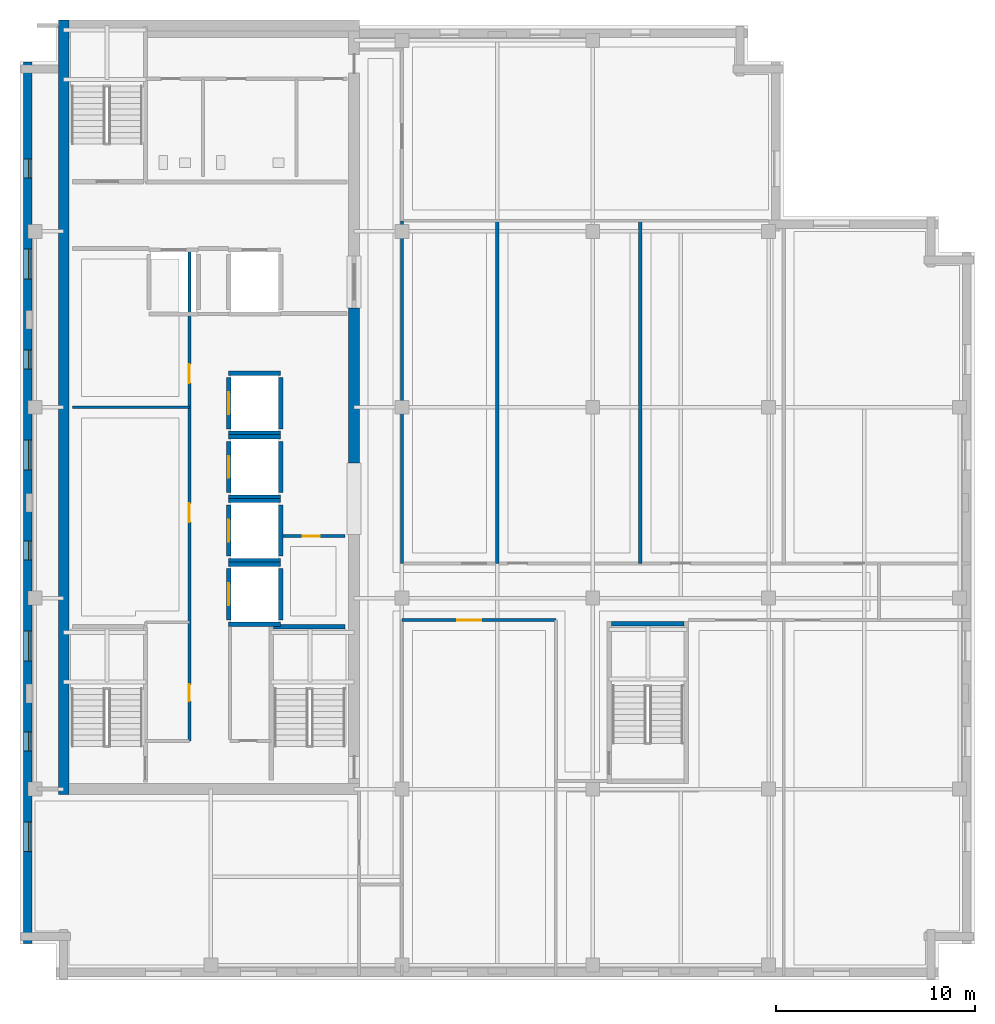
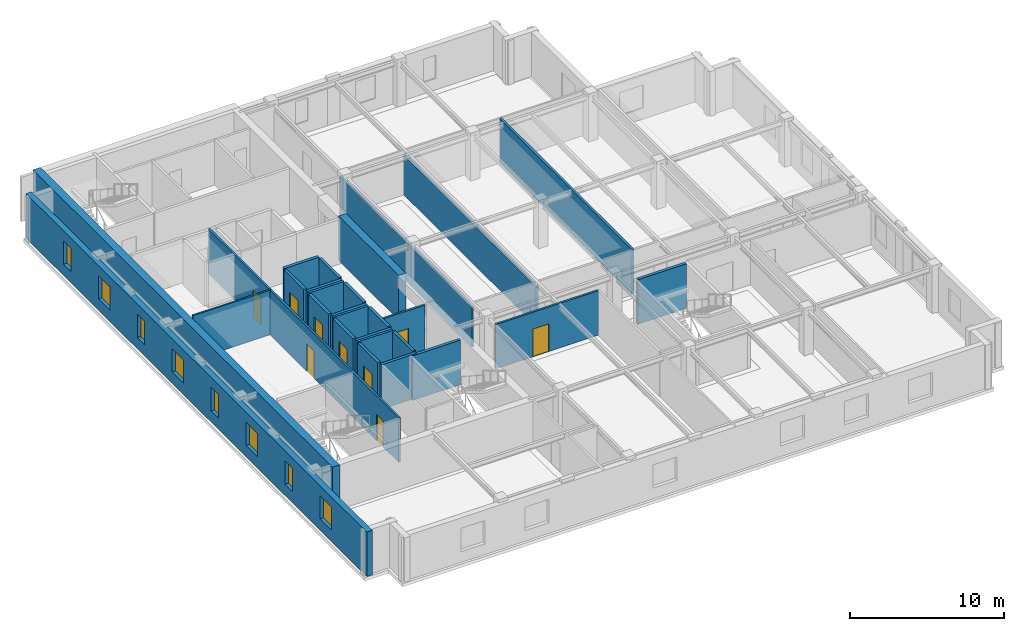
# One storey, part 4 of 11: 28 walls, 9 doors, 8 windows, 17 openings.
"""IFC4 building model written with IfcOpenShell, lengths in metres."""

import ifcopenshell
import ifcopenshell.guid

model = None  # the IFC model being written
_history = None  # IfcOwnerHistory: only IFC2X3 demands one
_inside = {}  # id of a spatial element -> (the spatial element, [elements in it])
_under = {}  # id of a project, library or spatial element -> (it, [spatial elements below it])
_declared = {}  # id of a project -> (the project, [libraries it declares])
_typed = {}  # id of a type object -> (the type object, [elements of that type])
_made_of = {}  # id of a material, layer set ... -> (it, [elements and type objects made of it])


def new_model(schema):
    """Start an empty IFC model of exactly this schema.

    Asked for "IFC4X3", IfcOpenShell would pick the latest addendum, in which some entities
    have other attributes; the version numbers below select the first issue.
    IFC2X3 requires an IfcOwnerHistory on every rooted entity: one is made here for all.
    """
    global model, _history
    if schema == "IFC4X3":
        model = ifcopenshell.file(schema_version=(4, 3, 0, 0))
    else:
        model = ifcopenshell.file(schema=schema)
    _inside.clear()
    _under.clear()
    _declared.clear()
    _typed.clear()
    _made_of.clear()
    _history = None
    if model.schema == "IFC2X3":
        org = make("IfcOrganization", Name="unknown")
        user = make(
            "IfcPersonAndOrganization",
            ThePerson=make("IfcPerson", FamilyName="unknown"),
            TheOrganization=org,
        )
        app = make(
            "IfcApplication",
            ApplicationDeveloper=org,
            Version="unknown",
            ApplicationFullName="unknown",
            ApplicationIdentifier="unknown",
        )
        _history = make(
            "IfcOwnerHistory",
            OwningUser=user,
            OwningApplication=app,
            ChangeAction="ADDED",
            CreationDate=0,
        )
    return model


def make(cls, **values):
    """One entity of the class cls with the attributes given. An attribute that is None is left unset."""
    return model.create_entity(
        cls, **{name: value for name, value in values.items() if value is not None}
    )


def rooted(cls, **values):
    """An entity with a GlobalId (a new one), such as an element, a storey or a relation."""
    return make(cls, GlobalId=ifcopenshell.guid.new(), OwnerHistory=_history, **values)


def si_unit(unit_type, name, prefix=None):
    """IfcSIUnit, for example si_unit("LENGTHUNIT", "METRE", prefix="MILLI")."""
    return make("IfcSIUnit", UnitType=unit_type, Prefix=prefix, Name=name)


def assignment(units):
    """IfcUnitAssignment: the units of a project."""
    return None if units is None else make("IfcUnitAssignment", Units=units)


def point(xyz):
    """IfcCartesianPoint."""
    return None if xyz is None else make("IfcCartesianPoint", Coordinates=xyz)


def direction(xyz):
    """IfcDirection."""
    return None if xyz is None else make("IfcDirection", DirectionRatios=xyz)


def frame(location, z_axis=None, x_axis=None):
    """IfcAxis2Placement3D, a coordinate frame: its origin and axes. An axis left out is left unset."""
    return make(
        "IfcAxis2Placement3D",
        Location=point(location),
        Axis=direction(z_axis),
        RefDirection=direction(x_axis),
    )


def frame_2d(location, x_axis=None):
    """IfcAxis2Placement2D, a coordinate frame in the plane: its origin and x axis."""
    return make(
        "IfcAxis2Placement2D", Location=point(location), RefDirection=direction(x_axis)
    )


def origin():
    """The frame at (0, 0, 0) with its axes left unset."""
    return frame((0.0, 0.0, 0.0))


def place(relative_to, where):
    """IfcLocalPlacement: puts the frame where relative to a parent placement (None: the world)."""
    return make(
        "IfcLocalPlacement", PlacementRelTo=relative_to, RelativePlacement=where
    )


def context(
    kind, dimensions, precision=None, world=None, true_north=None, identifier=None
):
    """IfcGeometricRepresentationContext, for example the 3D "Model" context."""
    return make(
        "IfcGeometricRepresentationContext",
        ContextIdentifier=identifier,
        ContextType=kind,
        CoordinateSpaceDimension=dimensions,
        Precision=precision,
        WorldCoordinateSystem=world,
        TrueNorth=true_north,
    )


def subcontext(parent, identifier, kind, view, scale=None):
    """IfcGeometricRepresentationSubContext, for example "Body" below "Model"."""
    return make(
        "IfcGeometricRepresentationSubContext",
        ContextIdentifier=identifier,
        ContextType=kind,
        ParentContext=parent,
        TargetScale=scale,
        TargetView=view,
    )


def project(units=None, contexts=None):
    """IfcProject with its units and contexts."""
    return rooted(
        "IfcProject",
        Name="project",
        RepresentationContexts=contexts,
        UnitsInContext=assignment(units),
    )


def spatial(cls, under=None, at=None, **own):
    """A site, building, storey or space (cls), placed at a placement, below another one or the project."""
    s = rooted(cls, ObjectPlacement=at, **own)
    if under is not None:
        _under.setdefault(under.id(), (under, []))[1].append(s)
    return s


def profile(cls, at=None, kind="AREA", **sizes):
    """A parametric profile (cls). Its sizes go by their IFC names, for example OverallWidth=200.0."""
    return make(cls, ProfileType=kind, Position=at, **sizes)


def rectangle(**sizes):
    """IfcRectangleProfileDef."""
    return profile("IfcRectangleProfileDef", **sizes)


def extrude(swept, where, along, depth):
    """IfcExtrudedAreaSolid: the profile swept, set in the frame where, extruded along a direction by depth."""
    return make(
        "IfcExtrudedAreaSolid",
        SweptArea=swept,
        Position=where,
        ExtrudedDirection=direction(along),
        Depth=depth,
    )


def shape(context_of_items, identifier, shape_type, items):
    """IfcShapeRepresentation: the items that make up one representation, for example the "Body"."""
    return make(
        "IfcShapeRepresentation",
        ContextOfItems=context_of_items,
        RepresentationIdentifier=identifier,
        RepresentationType=shape_type,
        Items=items,
    )


def material(Name=None, Category=None):
    """IfcMaterial."""
    return make("IfcMaterial", Name=Name, Category=Category)


def layer(
    of_material, thickness, ventilated=None, Name=None, Category=None, Priority=None
):
    """IfcMaterialLayer: one layer of a wall or slab, of a material (None: an air gap)."""
    return make(
        "IfcMaterialLayer",
        Material=of_material,
        LayerThickness=thickness,
        IsVentilated=ventilated,
        Name=Name,
        Category=Category,
        Priority=Priority,
    )


def layer_set(layers, Name=None):
    """IfcMaterialLayerSet."""
    return make("IfcMaterialLayerSet", MaterialLayers=layers, LayerSetName=Name)


def made_of(thing, what):
    """Note that an element or type object is made of a material, layer set ...; save() writes the relation."""
    if what is not None:
        _made_of.setdefault(what.id(), (what, []))[1].append(thing)
    return thing


def type_object(cls, material=None, **own):
    """A type object (cls), such as IfcWallType, which elements share."""
    return made_of(rooted(cls, **own), material)


def element(
    cls,
    number,
    at=None,
    inside=None,
    cuts=None,
    type_object=None,
    material=None,
    context=None,
    identifier="Body",
    shape_type=None,
    held_by="IfcProductDefinitionShape",
    body=None,
    shapes=None,
    **own,
):
    """One element of the class cls, such as IfcWall. Its Tag is "e" and its number.

    at: its placement. inside: the storey or other place that contains it. cuts: it is an
    opening in that element (IfcRelVoidsElement). A single representation is given by context,
    identifier, shape_type and body (its items); several are given by shapes. held_by: the class
    of the entity that holds the representations. save() writes the other relations.
    """
    e = rooted(cls, Tag="e%d" % number, ObjectPlacement=at, **own)
    if body is not None:
        shapes = [shape(context, identifier, shape_type, body)]
    if shapes is not None:
        e.Representation = make(held_by, Representations=shapes)
    if inside is not None:
        _inside.setdefault(inside.id(), (inside, []))[1].append(e)
    if cuts is not None:
        rooted(
            "IfcRelVoidsElement", RelatingBuildingElement=cuts, RelatedOpeningElement=e
        )
    if type_object is not None:
        _typed.setdefault(type_object.id(), (type_object, []))[1].append(e)
    return made_of(e, material)


def fill(opening, filler):
    """IfcRelFillsElement: the door or window that sits in an opening."""
    return rooted(
        "IfcRelFillsElement",
        RelatingOpeningElement=opening,
        RelatedBuildingElement=filler,
    )


def aggregate(whole, parts):
    """IfcRelAggregates: a whole, such as a stair, and the parts it consists of."""
    return rooted("IfcRelAggregates", RelatingObject=whole, RelatedObjects=parts)


def save(model, path):
    """Write the relations noted so far, then the file.

    IfcRelAggregates (storeys below a building ...), IfcRelContainedInSpatialStructure (elements
    in a storey), IfcRelDefinesByType, IfcRelAssociatesMaterial and IfcRelDeclares: one each for
    every whole, place, type object, material and project.
    """
    for whole, parts in _under.values():
        aggregate(whole, parts)
    for where, things in _inside.values():
        rooted(
            "IfcRelContainedInSpatialStructure",
            RelatedElements=things,
            RelatingStructure=where,
        )
    for kind, things in _typed.values():
        rooted("IfcRelDefinesByType", RelatedObjects=things, RelatingType=kind)
    for what, things in _made_of.values():
        rooted("IfcRelAssociatesMaterial", RelatedObjects=things, RelatingMaterial=what)
    for by, libraries in _declared.values():
        rooted("IfcRelDeclares", RelatingContext=by, RelatedDefinitions=libraries)
    model.write(path)


model = new_model("IFC4")

# Units and contexts
model_context = context("Model", 3, precision=1e-05, world=origin(), true_north=direction((0.0, 1.0)))
body_context = subcontext(model_context, "Body", "Model", "MODEL_VIEW")
ifc_project = project(units=[si_unit("LENGTHUNIT", "METRE"), si_unit("AREAUNIT", "SQUARE_METRE"), si_unit("VOLUMEUNIT", "CUBIC_METRE"), si_unit("PLANEANGLEUNIT", "RADIAN"), si_unit("MASSUNIT", "GRAM", prefix="KILO")], contexts=[model_context])

# Site, building, storey
site_placement = place(None, origin())
site = spatial("IfcSite", under=ifc_project, at=site_placement, CompositionType="ELEMENT")
building_placement = place(site_placement, origin())
building = spatial("IfcBuilding", under=site, at=building_placement, Name="Norrvale University Quadrangle", CompositionType="ELEMENT")
storey_placement = place(building_placement, frame((0.0, 0.0, 288.60009765625)))
storey = spatial("IfcBuildingStorey", under=building, at=storey_placement, Name="L73", CompositionType="ELEMENT", Elevation=288.60009765625)

# Wall, openings, windows
ifc_material_1 = material(Name="Buff Norman Clay Brick Masonry", Category="masonry")
ifc_layer_1 = layer(ifc_material_1, 0.419921875, Name="Buff Norman Clay Brick Masonry")
ifc_layer_set_1 = layer_set([ifc_layer_1], Name="Buff Norman Clay Brick Masonry")
wall_type_1 = type_object("IfcWallType", Name="Wall Buff Brick 420", PredefinedType="SOLIDWALL", material=ifc_layer_set_1)
wall_1_placement = place(storey_placement, frame((0.389892578125, 46.159912109375, 0.0), z_axis=(0.0, 0.0, 1.0), x_axis=(0.0, -1.0, 0.0)))
wall_1 = element("IfcWall", 1, at=wall_1_placement, inside=storey, type_object=wall_type_1, Name="Exterior Brick Facade Wall L73-14.1", PredefinedType="SOLIDWALL", context=body_context, shape_type="SweptSolid", body=[
    extrude(rectangle(XDim=44.31982421875, YDim=0.419921875, at=frame_2d((22.159912109375, 0.0))), origin(), (0.0, 0.0, 1.0), 3.539794921875),
])
opening_1_placement = place(wall_1_placement, frame((4.885009765625, 0.0, 0.89990234375)))
opening_1 = element("IfcOpeningElement", 2, at=opening_1_placement, cuts=wall_1, Name="Opening W04", PredefinedType="OPENING", context=body_context, shape_type="SweptSolid", body=[
    extrude(rectangle(XDim=0.949951171875, YDim=1.85009765625, at=frame_2d((0.47509765625, 0.925048828125))), frame((0.0, 0.221923828125, 0.0), z_axis=(0.0, -1.0, 0.0), x_axis=(1.0, 0.0, 0.0)), (0.0, 0.0, 1.0), 0.44384765625),
])
opening_2_placement = place(wall_1_placement, frame((9.409912109375, 0.0, 0.89990234375)))
opening_2 = element("IfcOpeningElement", 3, at=opening_2_placement, cuts=wall_1, Name="Opening W03", PredefinedType="OPENING", context=body_context, shape_type="SweptSolid", body=[
    extrude(rectangle(XDim=1.5, YDim=1.85009765625, at=frame_2d((0.75, 0.925048828125))), frame((0.0, 0.221923828125, 0.0), z_axis=(0.0, -1.0, 0.0), x_axis=(1.0, 0.0, 0.0)), (0.0, 0.0, 1.0), 0.44384765625),
])
opening_3_placement = place(wall_1_placement, frame((14.485107421875, 0.0, 0.89990234375)))
opening_3 = element("IfcOpeningElement", 4, at=opening_3_placement, cuts=wall_1, Name="Opening W04", PredefinedType="OPENING", context=body_context, shape_type="SweptSolid", body=[
    extrude(rectangle(XDim=0.949951171875, YDim=1.85009765625, at=frame_2d((0.47509765625, 0.925048828125))), frame((0.0, 0.221923828125, 0.0), z_axis=(0.0, -1.0, 0.0), x_axis=(1.0, 0.0, 0.0)), (0.0, 0.0, 1.0), 0.44384765625),
])
opening_4_placement = place(wall_1_placement, frame((19.010009765625, 0.0, 0.89990234375)))
opening_4 = element("IfcOpeningElement", 5, at=opening_4_placement, cuts=wall_1, Name="Opening W03", PredefinedType="OPENING", context=body_context, shape_type="SweptSolid", body=[
    extrude(rectangle(XDim=1.5, YDim=1.85009765625, at=frame_2d((0.75, 0.925048828125))), frame((0.0, 0.221923828125, 0.0), z_axis=(0.0, -1.0, 0.0), x_axis=(1.0, 0.0, 0.0)), (0.0, 0.0, 1.0), 0.44384765625),
])
opening_5_placement = place(wall_1_placement, frame((24.0849609375, 0.0, 0.89990234375)))
opening_5 = element("IfcOpeningElement", 6, at=opening_5_placement, cuts=wall_1, Name="Opening W04", PredefinedType="OPENING", context=body_context, shape_type="SweptSolid", body=[
    extrude(rectangle(XDim=0.949951171875, YDim=1.85009765625, at=frame_2d((0.47509765625, 0.925048828125))), frame((0.0, 0.221923828125, 0.0), z_axis=(0.0, -1.0, 0.0), x_axis=(1.0, 0.0, 0.0)), (0.0, 0.0, 1.0), 0.44384765625),
])
opening_6_placement = place(wall_1_placement, frame((28.610107421875, 0.0, 0.89990234375)))
opening_6 = element("IfcOpeningElement", 7, at=opening_6_placement, cuts=wall_1, Name="Opening W03", PredefinedType="OPENING", context=body_context, shape_type="SweptSolid", body=[
    extrude(rectangle(XDim=1.5, YDim=1.85009765625, at=frame_2d((0.75, 0.925048828125))), frame((0.0, 0.221923828125, 0.0), z_axis=(0.0, -1.0, 0.0), x_axis=(1.0, 0.0, 0.0)), (0.0, 0.0, 1.0), 0.44384765625),
])
opening_7_placement = place(wall_1_placement, frame((33.68505859375, 0.0, 0.89990234375)))
opening_7 = element("IfcOpeningElement", 8, at=opening_7_placement, cuts=wall_1, Name="Opening W04", PredefinedType="OPENING", context=body_context, shape_type="SweptSolid", body=[
    extrude(rectangle(XDim=0.949951171875, YDim=1.85009765625, at=frame_2d((0.47509765625, 0.925048828125))), frame((0.0, 0.221923828125, 0.0), z_axis=(0.0, -1.0, 0.0), x_axis=(1.0, 0.0, 0.0)), (0.0, 0.0, 1.0), 0.44384765625),
])
opening_8_placement = place(wall_1_placement, frame((38.2099609375, 0.0, 0.89990234375)))
opening_8 = element("IfcOpeningElement", 9, at=opening_8_placement, cuts=wall_1, Name="Opening W03", PredefinedType="OPENING", context=body_context, shape_type="SweptSolid", body=[
    extrude(rectangle(XDim=1.5, YDim=1.85009765625, at=frame_2d((0.75, 0.925048828125))), frame((0.0, 0.221923828125, 0.0), z_axis=(0.0, -1.0, 0.0), x_axis=(1.0, 0.0, 0.0)), (0.0, 0.0, 1.0), 0.44384765625),
])
ifc_material_2 = material(Name="Triple Low-E Argon Glazing", Category="glass")
window_type_1 = type_object("IfcWindowType", Name="Window Narrow Pier 950x2300", PartitioningType="SINGLE_PANEL", PredefinedType="WINDOW", material=ifc_material_2)
window_1_placement = place(opening_1_placement, origin())
window_1 = element("IfcWindow", 10, at=window_1_placement, inside=storey, type_object=window_type_1, Name="Window Narrow Pier 950x2300 WIN-L73-E14-1-01", OverallHeight=1.85009765625, OverallWidth=0.949951171875, PartitioningType="SINGLE_PANEL", PredefinedType="WINDOW", context=body_context, shape_type="SweptSolid", body=[
    extrude(rectangle(XDim=0.949951171875, YDim=1.85009765625, at=frame_2d((0.47509765625, 0.925048828125))), frame((0.0, 0.110107421875, 0.0), z_axis=(0.0, -1.0, 0.0), x_axis=(1.0, 0.0, 0.0)), (0.0, 0.0, 1.0), 0.06005859375),
])
fill(opening_1, window_1)
window_2_placement = place(opening_3_placement, origin())
window_2 = element("IfcWindow", 11, at=window_2_placement, inside=storey, type_object=window_type_1, Name="Window Narrow Pier 950x2300 WIN-L73-E14-1-03", OverallHeight=1.85009765625, OverallWidth=0.949951171875, PartitioningType="SINGLE_PANEL", PredefinedType="WINDOW", context=body_context, shape_type="SweptSolid", body=[
    extrude(rectangle(XDim=0.949951171875, YDim=1.85009765625, at=frame_2d((0.47509765625, 0.925048828125))), frame((0.0, 0.110107421875, 0.0), z_axis=(0.0, -1.0, 0.0), x_axis=(1.0, 0.0, 0.0)), (0.0, 0.0, 1.0), 0.06005859375),
])
fill(opening_3, window_2)
window_3_placement = place(opening_5_placement, origin())
window_3 = element("IfcWindow", 12, at=window_3_placement, inside=storey, type_object=window_type_1, Name="Window Narrow Pier 950x2300 WIN-L73-E14-1-05", OverallHeight=1.85009765625, OverallWidth=0.949951171875, PartitioningType="SINGLE_PANEL", PredefinedType="WINDOW", context=body_context, shape_type="SweptSolid", body=[
    extrude(rectangle(XDim=0.949951171875, YDim=1.85009765625, at=frame_2d((0.47509765625, 0.925048828125))), frame((0.0, 0.110107421875, 0.0), z_axis=(0.0, -1.0, 0.0), x_axis=(1.0, 0.0, 0.0)), (0.0, 0.0, 1.0), 0.06005859375),
])
fill(opening_5, window_3)
window_4_placement = place(opening_7_placement, origin())
window_4 = element("IfcWindow", 13, at=window_4_placement, inside=storey, type_object=window_type_1, Name="Window Narrow Pier 950x2300 WIN-L73-E14-1-07", OverallHeight=1.85009765625, OverallWidth=0.949951171875, PartitioningType="SINGLE_PANEL", PredefinedType="WINDOW", context=body_context, shape_type="SweptSolid", body=[
    extrude(rectangle(XDim=0.949951171875, YDim=1.85009765625, at=frame_2d((0.47509765625, 0.925048828125))), frame((0.0, 0.110107421875, 0.0), z_axis=(0.0, -1.0, 0.0), x_axis=(1.0, 0.0, 0.0)), (0.0, 0.0, 1.0), 0.06005859375),
])
fill(opening_7, window_4)
window_type_2 = type_object("IfcWindowType", Name="Window Studio 1500x2300", PartitioningType="DOUBLE_PANEL_VERTICAL", PredefinedType="WINDOW", material=ifc_material_2)
window_5_placement = place(opening_2_placement, origin())
window_5 = element("IfcWindow", 14, at=window_5_placement, inside=storey, type_object=window_type_2, Name="Window Studio 1500x2300 WIN-L73-E14-1-02", OverallHeight=1.85009765625, OverallWidth=1.5, PartitioningType="DOUBLE_PANEL_VERTICAL", PredefinedType="WINDOW", context=body_context, shape_type="SweptSolid", body=[
    extrude(rectangle(XDim=1.5, YDim=1.85009765625, at=frame_2d((0.75, 0.925048828125))), frame((0.0, 0.110107421875, 0.0), z_axis=(0.0, -1.0, 0.0), x_axis=(1.0, 0.0, 0.0)), (0.0, 0.0, 1.0), 0.06005859375),
])
fill(opening_2, window_5)
window_6_placement = place(opening_4_placement, origin())
window_6 = element("IfcWindow", 15, at=window_6_placement, inside=storey, type_object=window_type_2, Name="Window Studio 1500x2300 WIN-L73-E14-1-04", OverallHeight=1.85009765625, OverallWidth=1.5, PartitioningType="DOUBLE_PANEL_VERTICAL", PredefinedType="WINDOW", context=body_context, shape_type="SweptSolid", body=[
    extrude(rectangle(XDim=1.5, YDim=1.85009765625, at=frame_2d((0.75, 0.925048828125))), frame((0.0, 0.110107421875, 0.0), z_axis=(0.0, -1.0, 0.0), x_axis=(1.0, 0.0, 0.0)), (0.0, 0.0, 1.0), 0.06005859375),
])
fill(opening_4, window_6)
window_7_placement = place(opening_6_placement, origin())
window_7 = element("IfcWindow", 16, at=window_7_placement, inside=storey, type_object=window_type_2, Name="Window Studio 1500x2300 WIN-L73-E14-1-06", OverallHeight=1.85009765625, OverallWidth=1.5, PartitioningType="DOUBLE_PANEL_VERTICAL", PredefinedType="WINDOW", context=body_context, shape_type="SweptSolid", body=[
    extrude(rectangle(XDim=1.5, YDim=1.85009765625, at=frame_2d((0.75, 0.925048828125))), frame((0.0, 0.110107421875, 0.0), z_axis=(0.0, -1.0, 0.0), x_axis=(1.0, 0.0, 0.0)), (0.0, 0.0, 1.0), 0.06005859375),
])
fill(opening_6, window_7)
window_8_placement = place(opening_8_placement, origin())
window_8 = element("IfcWindow", 17, at=window_8_placement, inside=storey, type_object=window_type_2, Name="Window Studio 1500x2300 WIN-L73-E14-1-08", OverallHeight=1.85009765625, OverallWidth=1.5, PartitioningType="DOUBLE_PANEL_VERTICAL", PredefinedType="WINDOW", context=body_context, shape_type="SweptSolid", body=[
    extrude(rectangle(XDim=1.5, YDim=1.85009765625, at=frame_2d((0.75, 0.925048828125))), frame((0.0, 0.110107421875, 0.0), z_axis=(0.0, -1.0, 0.0), x_axis=(1.0, 0.0, 0.0)), (0.0, 0.0, 1.0), 0.06005859375),
])
fill(opening_8, window_8)

# Walls
ifc_material_3 = material(Name="Concrete C60/75", Category="concrete")
ifc_layer_2 = layer(ifc_material_3, 0.550048828125, Name="Concrete C60/75")
ifc_layer_set_2 = layer_set([ifc_layer_2], Name="Concrete C60/75")
wall_type_2 = type_object("IfcWallType", Name="Wall Core 550", PredefinedType="SHEAR", material=ifc_layer_set_2)
wall_2_placement = place(storey_placement, frame((2.199951171875, 9.324951171875, 0.0), z_axis=(0.0, 0.0, 1.0), x_axis=(0.0, 1.0, 0.0)))
element("IfcWall", 18, at=wall_2_placement, inside=storey, type_object=wall_type_2, Name="Tower Core Shear Wall L73-W", PredefinedType="SHEAR", context=body_context, shape_type="SweptSolid", body=[
    extrude(rectangle(XDim=38.949951171875, YDim=0.550048828125, at=frame_2d((19.47509765625, 0.0))), origin(), (0.0, 0.0, 1.0), 3.539794921875),
])
wall_3_placement = place(storey_placement, frame((16.800048828125, 26.0, 0.0), z_axis=(0.0, 0.0, 1.0), x_axis=(0.0, 1.0, 0.0)))
element("IfcWall", 19, at=wall_3_placement, inside=storey, type_object=wall_type_2, Name="Tower Core Shear Wall L73-E2", PredefinedType="SHEAR", context=body_context, shape_type="SweptSolid", body=[
    extrude(rectangle(XDim=7.800048828125, YDim=0.550048828125, at=frame_2d((3.89990234375, 0.0))), origin(), (0.0, 0.0, 1.0), 3.539794921875),
])
ifc_material_4 = material(Name="Standard Academic Gypsum Partition")
ifc_layer_3 = layer(ifc_material_4, 0.125, Name="Standard Academic Gypsum Partition")
ifc_layer_set_3 = layer_set([ifc_layer_3], Name="Standard Academic Gypsum Partition")
wall_type_3 = type_object("IfcWallType", Name="Wall Gypsum Academic 125", PredefinedType="PARTITIONING", material=ifc_layer_set_3)
wall_4_placement = place(storey_placement, frame((2.64990234375, 28.800048828125, 0.0), z_axis=(0.0, 0.0, 1.0), x_axis=(1.0, 0.0, 0.0)))
element("IfcWall", 20, at=wall_4_placement, inside=storey, type_object=wall_type_3, Name="Interior Partition WL-L73-REC-M2", PredefinedType="PARTITIONING", context=body_context, shape_type="SweptSolid", body=[
    extrude(rectangle(XDim=5.8701171875, YDim=0.125, at=frame_2d((2.93505859375, 0.0))), origin(), (0.0, 0.0, 1.0), 3.539794921875),
])

# Wall, opening, door
ifc_material_5 = material(Name="Fire-Rated Gypsum Stud Partition")
ifc_layer_4 = layer(ifc_material_5, 0.14990234375, Name="Fire-Rated Gypsum Stud Partition")
ifc_layer_set_4 = layer_set([ifc_layer_4], Name="Fire-Rated Gypsum Stud Partition")
wall_type_4 = type_object("IfcWallType", Name="Wall Gypsum Corridor 150", PredefinedType="PARTITIONING", material=ifc_layer_set_4)
wall_5_placement = place(storey_placement, frame((13.22509765625, 22.320068359375, 0.0), z_axis=(0.0, 0.0, 1.0), x_axis=(1.0, 0.0, 0.0)))
wall_5 = element("IfcWall", 21, at=wall_5_placement, inside=storey, type_object=wall_type_4, Name="Interior Partition WL-L73-JAN-N", PredefinedType="PARTITIONING", context=body_context, shape_type="SweptSolid", body=[
    extrude(rectangle(XDim=3.119873046875, YDim=0.14990234375, at=frame_2d((1.56005859375, 0.0))), origin(), (0.0, 0.0, 1.0), 3.539794921875),
])
opening_9_placement = place(wall_5_placement, frame((1.0, 0.0, 0.0)))
opening_9 = element("IfcOpeningElement", 22, at=opening_9_placement, cuts=wall_5, Name="Opening D10", PredefinedType="OPENING", context=body_context, shape_type="SweptSolid", body=[
    extrude(rectangle(XDim=0.85009765625, YDim=2.10009765625, at=frame_2d((0.425048828125, 1.050048828125))), frame((0.0, 0.0869140625, 0.0), z_axis=(0.0, -1.0, 0.0), x_axis=(1.0, 0.0, 0.0)), (0.0, 0.0, 1.0), 0.173828125),
])
ifc_material_6 = material(Name="Hollow Steel 350W Riser Fire Door", Category="steel")
door_type_1 = type_object("IfcDoorType", Name="Door Riser 850x2100", OperationType="NOTDEFINED", PredefinedType="DOOR", material=ifc_material_6)
door_1_placement = place(opening_9_placement, origin())
door_1 = element("IfcDoor", 23, at=door_1_placement, inside=storey, type_object=door_type_1, Name="Door Riser 850x2100 DR-L73-JAN", OperationType="SINGLE_SWING_LEFT", OverallHeight=2.10009765625, OverallWidth=0.85009765625, PredefinedType="DOOR", context=body_context, shape_type="SweptSolid", body=[
    extrude(rectangle(XDim=0.85009765625, YDim=2.10009765625, at=frame_2d((0.425048828125, 1.050048828125))), frame((0.0, 0.02490234375, 0.0), z_axis=(0.0, -1.0, 0.0), x_axis=(1.0, 0.0, 0.0)), (0.0, 0.0, 1.0), 0.050048828125),
])
fill(opening_9, door_1)

# Wall, openings, doors
wall_6_placement = place(storey_placement, frame((8.52001953125, 12.02001953125, 0.0), z_axis=(0.0, 0.0, 1.0), x_axis=(0.0, 1.0, 0.0)))
wall_6 = element("IfcWall", 24, at=wall_6_placement, inside=storey, type_object=wall_type_4, Name="Interior Partition WL-L73-REC-E", PredefinedType="PARTITIONING", context=body_context, shape_type="SweptSolid", body=[
    extrude(rectangle(XDim=24.760009765625, YDim=0.14990234375, at=frame_2d((12.3798828125, 0.0))), origin(), (0.0, 0.0, 1.0), 3.539794921875),
])
opening_10_placement = place(wall_6_placement, frame((2.0, 0.0, 0.0)))
opening_10 = element("IfcOpeningElement", 25, at=opening_10_placement, cuts=wall_6, Name="Opening D10", PredefinedType="OPENING", context=body_context, shape_type="SweptSolid", body=[
    extrude(rectangle(XDim=0.85009765625, YDim=2.10009765625, at=frame_2d((0.425048828125, 1.050048828125))), frame((0.0, 0.0869140625, 0.0), z_axis=(0.0, -1.0, 0.0), x_axis=(1.0, 0.0, 0.0)), (0.0, 0.0, 1.0), 0.173828125),
])
opening_11_placement = place(wall_6_placement, frame((11.0, 0.0, 0.0)))
opening_11 = element("IfcOpeningElement", 26, at=opening_11_placement, cuts=wall_6, Name="Opening D07", PredefinedType="OPENING", context=body_context, shape_type="SweptSolid", body=[
    extrude(rectangle(XDim=0.949951171875, YDim=2.14990234375, at=frame_2d((0.47509765625, 1.074951171875))), frame((0.0, 0.0869140625, 0.0), z_axis=(0.0, -1.0, 0.0), x_axis=(1.0, 0.0, 0.0)), (0.0, 0.0, 1.0), 0.173828125),
])
opening_12_placement = place(wall_6_placement, frame((18.0, 0.0, 0.0)))
opening_12 = element("IfcOpeningElement", 27, at=opening_12_placement, cuts=wall_6, Name="Opening D07", PredefinedType="OPENING", context=body_context, shape_type="SweptSolid", body=[
    extrude(rectangle(XDim=0.949951171875, YDim=2.14990234375, at=frame_2d((0.47509765625, 1.074951171875))), frame((0.0, 0.0869140625, 0.0), z_axis=(0.0, -1.0, 0.0), x_axis=(1.0, 0.0, 0.0)), (0.0, 0.0, 1.0), 0.173828125),
])
ifc_material_7 = material(Name="Solid-Core Maple Door", Category="wood")
door_type_2 = type_object("IfcDoorType", Name="Door Office 950x2150", OperationType="NOTDEFINED", PredefinedType="DOOR", material=ifc_material_7)
door_2_placement = place(opening_11_placement, origin())
door_2 = element("IfcDoor", 28, at=door_2_placement, inside=storey, type_object=door_type_2, Name="Door Office 950x2150 DR-L73-REC2", OperationType="SINGLE_SWING_RIGHT", OverallHeight=2.14990234375, OverallWidth=0.949951171875, PredefinedType="DOOR", context=body_context, shape_type="SweptSolid", body=[
    extrude(rectangle(XDim=0.949951171875, YDim=2.14990234375, at=frame_2d((0.47509765625, 1.074951171875))), frame((0.0, 0.02490234375, 0.0), z_axis=(0.0, -1.0, 0.0), x_axis=(1.0, 0.0, 0.0)), (0.0, 0.0, 1.0), 0.050048828125),
])
fill(opening_11, door_2)
door_3_placement = place(opening_12_placement, origin())
door_3 = element("IfcDoor", 29, at=door_3_placement, inside=storey, type_object=door_type_2, Name="Door Office 950x2150 DR-L73-REC3", OperationType="SINGLE_SWING_LEFT", OverallHeight=2.14990234375, OverallWidth=0.949951171875, PredefinedType="DOOR", context=body_context, shape_type="SweptSolid", body=[
    extrude(rectangle(XDim=0.949951171875, YDim=2.14990234375, at=frame_2d((0.47509765625, 1.074951171875))), frame((0.0, 0.02490234375, 0.0), z_axis=(0.0, -1.0, 0.0), x_axis=(1.0, 0.0, 0.0)), (0.0, 0.0, 1.0), 0.050048828125),
])
fill(opening_12, door_3)
door_4_placement = place(opening_10_placement, origin())
door_4 = element("IfcDoor", 30, at=door_4_placement, inside=storey, type_object=door_type_1, Name="Door Riser 850x2100 DR-L73-REC1", OperationType="SINGLE_SWING_LEFT", OverallHeight=2.10009765625, OverallWidth=0.85009765625, PredefinedType="DOOR", context=body_context, shape_type="SweptSolid", body=[
    extrude(rectangle(XDim=0.85009765625, YDim=2.10009765625, at=frame_2d((0.425048828125, 1.050048828125))), frame((0.0, 0.02490234375, 0.0), z_axis=(0.0, -1.0, 0.0), x_axis=(1.0, 0.0, 0.0)), (0.0, 0.0, 1.0), 0.050048828125),
])
fill(opening_10, door_4)

# Wall, opening, door
wall_7_placement = place(storey_placement, frame((19.199951171875, 18.10009765625, 0.0), z_axis=(0.0, 0.0, 1.0), x_axis=(1.0, 0.0, 0.0)))
wall_7 = element("IfcWall", 31, at=wall_7_placement, inside=storey, type_object=wall_type_4, Name="Interior Partition WL-L73-SEW1", PredefinedType="PARTITIONING", context=body_context, shape_type="SweptSolid", body=[
    extrude(rectangle(XDim=7.75, YDim=0.14990234375, at=frame_2d((3.875, 0.0))), origin(), (0.0, 0.0, 1.0), 3.539794921875),
])
opening_13_placement = place(wall_7_placement, frame((2.800048828125, 0.0, 0.0)))
opening_13 = element("IfcOpeningElement", 32, at=opening_13_placement, cuts=wall_7, Name="Opening D05", PredefinedType="OPENING", context=body_context, shape_type="SweptSolid", body=[
    extrude(rectangle(XDim=1.199951171875, YDim=2.199951171875, at=frame_2d((0.60009765625, 1.10009765625))), frame((0.0, 0.0869140625, 0.0), z_axis=(0.0, -1.0, 0.0), x_axis=(1.0, 0.0, 0.0)), (0.0, 0.0, 1.0), 0.173828125),
])
ifc_material_8 = material(Name="Acoustic Oak Classroom Door", Category="wood")
door_type_3 = type_object("IfcDoorType", Name="Door Classroom 1200x2200", OperationType="NOTDEFINED", PredefinedType="DOOR", material=ifc_material_8)
door_5_placement = place(opening_13_placement, origin())
door_5 = element("IfcDoor", 33, at=door_5_placement, inside=storey, type_object=door_type_3, Name="Door Classroom 1200x2200 DR-L73-SE1", OperationType="SINGLE_SWING_LEFT", OverallHeight=2.199951171875, OverallWidth=1.199951171875, PredefinedType="DOOR", context=body_context, shape_type="SweptSolid", body=[
    extrude(rectangle(XDim=1.199951171875, YDim=2.199951171875, at=frame_2d((0.60009765625, 1.10009765625))), frame((0.0, 0.02490234375, 0.0), z_axis=(0.0, -1.0, 0.0), x_axis=(1.0, 0.0, 0.0)), (0.0, 0.0, 1.0), 0.050048828125),
])
fill(opening_13, door_5)

# Walls
wall_8_placement = place(storey_placement, frame((19.199951171875, 20.949951171875, 0.0), z_axis=(0.0, 0.0, 1.0), x_axis=(0.0, 1.0, 0.0)))
element("IfcWall", 34, at=wall_8_placement, inside=storey, type_object=wall_type_4, Name="Interior Partition WL-L73-ME-W", PredefinedType="PARTITIONING", context=body_context, shape_type="SweptSolid", body=[
    extrude(rectangle(XDim=17.22998046875, YDim=0.14990234375, at=frame_2d((8.614990234375, 0.0))), origin(), (0.0, 0.0, 1.0), 3.122802734375),
])
ifc_material_9 = material(Name="Acoustic Double-Stud Gypsum Partition")
ifc_layer_5 = layer(ifc_material_9, 0.179931640625, Name="Acoustic Double-Stud Gypsum Partition")
ifc_layer_set_5 = layer_set([ifc_layer_5], Name="Acoustic Double-Stud Gypsum Partition")
wall_type_5 = type_object("IfcWallType", Name="Wall Gypsum Lecture 180", PredefinedType="PARTITIONING", material=ifc_layer_set_5)
wall_9_placement = place(storey_placement, frame((24.0, 20.949951171875, 0.0), z_axis=(0.0, 0.0, 1.0), x_axis=(0.0, 1.0, 0.0)))
element("IfcWall", 35, at=wall_9_placement, inside=storey, type_object=wall_type_5, Name="Interior Partition WL-L73-MEP01", PredefinedType="PARTITIONING", context=body_context, shape_type="SweptSolid", body=[
    extrude(rectangle(XDim=17.22998046875, YDim=0.179931640625, at=frame_2d((8.614990234375, 0.0))), origin(), (0.0, 0.0, 1.0), 3.1328125),
])
wall_10_placement = place(storey_placement, frame((31.199951171875, 20.949951171875, 0.0), z_axis=(0.0, 0.0, 1.0), x_axis=(0.0, 1.0, 0.0)))
element("IfcWall", 36, at=wall_10_placement, inside=storey, type_object=wall_type_5, Name="Interior Partition WL-L73-MEP02", PredefinedType="PARTITIONING", context=body_context, shape_type="SweptSolid", body=[
    extrude(rectangle(XDim=17.22998046875, YDim=0.179931640625, at=frame_2d((8.614990234375, 0.0))), origin(), (0.0, 0.0, 1.0), 3.539794921875),
])
ifc_material_10 = material(Name="Concrete Blockwork 20 MPa Fire Shaft", Category="masonry")
ifc_layer_6 = layer(ifc_material_10, 0.219970703125, Name="Concrete Blockwork 20 MPa Fire Shaft")
ifc_layer_set_6 = layer_set([ifc_layer_6], Name="Concrete Blockwork 20 MPa Fire Shaft")
wall_type_6 = type_object("IfcWallType", Name="Wall Shaft 220", PredefinedType="SOLIDWALL", material=ifc_layer_set_6)
wall_11_placement = place(storey_placement, frame((12.75, 17.760009765625, 0.0), z_axis=(0.0, 0.0, 1.0), x_axis=(1.0, 0.0, 0.0)))
element("IfcWall", 37, at=wall_11_placement, inside=storey, type_object=wall_type_6, Name="Stair ST-03 North Shaft Wall L73", PredefinedType="SOLIDWALL", context=body_context, shape_type="SweptSolid", body=[
    extrude(rectangle(XDim=3.60009765625, YDim=0.219970703125, at=frame_2d((1.800048828125, 0.0))), origin(), (0.0, 0.0, 1.0), 3.539794921875),
])
wall_12_placement = place(storey_placement, frame((29.75, 17.909912109375, 0.0), z_axis=(0.0, 0.0, 1.0), x_axis=(1.0, 0.0, 0.0)))
element("IfcWall", 38, at=wall_12_placement, inside=storey, type_object=wall_type_6, Name="Stair ST-04 North Shaft Wall L73", PredefinedType="SOLIDWALL", context=body_context, shape_type="SweptSolid", body=[
    extrude(rectangle(XDim=3.64990234375, YDim=0.219970703125, at=frame_2d((1.824951171875, 0.0))), origin(), (0.0, 0.0, 1.0), 3.539794921875),
])

# Wall, opening, door
wall_13_placement = place(storey_placement, frame((10.489990234375, 18.110107421875, 0.0), z_axis=(0.0, 0.0, 1.0), x_axis=(0.0, 1.0, 0.0)))
wall_13 = element("IfcWall", 39, at=wall_13_placement, inside=storey, type_object=wall_type_6, Name="Hoistway PL-05 West Wall L73", PredefinedType="SOLIDWALL", context=body_context, shape_type="SweptSolid", body=[
    extrude(rectangle(XDim=2.579833984375, YDim=0.219970703125, at=frame_2d((1.2900390625, 0.0))), origin(), (0.0, 0.0, 1.0), 3.539794921875),
])
opening_14_placement = place(wall_13_placement, frame((0.739990234375, 0.0, 0.0)))
opening_14 = element("IfcOpeningElement", 40, at=opening_14_placement, cuts=wall_13, Name="Opening LD1", PredefinedType="OPENING", context=body_context, shape_type="SweptSolid", body=[
    extrude(rectangle(XDim=1.10009765625, YDim=2.199951171875, at=frame_2d((0.550048828125, 1.10009765625))), frame((0.0, 0.1220703125, 0.0), z_axis=(0.0, -1.0, 0.0), x_axis=(1.0, 0.0, 0.0)), (0.0, 0.0, 1.0), 0.243896484375),
])
ifc_material_11 = material(Name="Stainless Steel 316L Lift Landing Door", Category="steel")
door_type_4 = type_object("IfcDoorType", Name="Door Lift Landing 1100x2200", OperationType="DOUBLE_DOOR_SLIDING", PredefinedType="DOOR", material=ifc_material_11)
door_6_placement = place(opening_14_placement, origin())
door_6 = element("IfcDoor", 41, at=door_6_placement, inside=storey, type_object=door_type_4, Name="Elevator Landing Door DR-L73-PL-05", OperationType="DOUBLE_DOOR_SLIDING", OverallHeight=2.199951171875, OverallWidth=1.10009765625, PredefinedType="DOOR", context=body_context, shape_type="SweptSolid", body=[
    extrude(rectangle(XDim=1.10009765625, YDim=2.199951171875, at=frame_2d((0.550048828125, 1.10009765625))), frame((0.0, 0.02490234375, 0.0), z_axis=(0.0, -1.0, 0.0), x_axis=(1.0, 0.0, 0.0)), (0.0, 0.0, 1.0), 0.050048828125),
])
fill(opening_14, door_6)

# Walls
wall_14_placement = place(storey_placement, frame((13.110107421875, 18.110107421875, 0.0), z_axis=(0.0, 0.0, 1.0), x_axis=(0.0, 1.0, 0.0)))
element("IfcWall", 42, at=wall_14_placement, inside=storey, type_object=wall_type_6, Name="Hoistway PL-05 East Wall L73", PredefinedType="SOLIDWALL", context=body_context, shape_type="SweptSolid", body=[
    extrude(rectangle(XDim=2.579833984375, YDim=0.219970703125, at=frame_2d((1.2900390625, 0.0))), origin(), (0.0, 0.0, 1.0), 3.539794921875),
])
for number, where, z_axis, x_axis, name in (
    (43, (10.489990234375, 17.889892578125, 0.0), (0.0, 0.0, 1.0), (1.0, 0.0, 0.0), "Hoistway PL-05 South Wall L73"),
    (44, (10.489990234375, 20.909912109375, 0.0), (0.0, 0.0, 1.0), (1.0, 0.0, 0.0), "Hoistway PL-05 North Wall L73"),
):
    element("IfcWall", number, at=place(storey_placement, frame(where, z_axis=z_axis, x_axis=x_axis)), inside=storey, type_object=wall_type_6, Name=name, PredefinedType="SOLIDWALL", context=body_context, shape_type="SweptSolid", body=[
        extrude(rectangle(XDim=2.6201171875, YDim=0.219970703125, at=frame_2d((1.31005859375, 0.0))), origin(), (0.0, 0.0, 1.0), 3.539794921875),
    ])

# Wall, opening, door
wall_15_placement = place(storey_placement, frame((10.489990234375, 21.31005859375, 0.0), z_axis=(0.0, 0.0, 1.0), x_axis=(0.0, 1.0, 0.0)))
wall_15 = element("IfcWall", 45, at=wall_15_placement, inside=storey, type_object=wall_type_6, Name="Hoistway PL-06 West Wall L73", PredefinedType="SOLIDWALL", context=body_context, shape_type="SweptSolid", body=[
    extrude(rectangle(XDim=2.579833984375, YDim=0.219970703125, at=frame_2d((1.2900390625, 0.0))), origin(), (0.0, 0.0, 1.0), 3.539794921875),
])
opening_15_placement = place(wall_15_placement, frame((0.739990234375, 0.0, 0.0)))
opening_15 = element("IfcOpeningElement", 46, at=opening_15_placement, cuts=wall_15, Name="Opening LD1", PredefinedType="OPENING", context=body_context, shape_type="SweptSolid", body=[
    extrude(rectangle(XDim=1.10009765625, YDim=2.199951171875, at=frame_2d((0.550048828125, 1.10009765625))), frame((0.0, 0.1220703125, 0.0), z_axis=(0.0, -1.0, 0.0), x_axis=(1.0, 0.0, 0.0)), (0.0, 0.0, 1.0), 0.243896484375),
])
door_7_placement = place(opening_15_placement, origin())
door_7 = element("IfcDoor", 47, at=door_7_placement, inside=storey, type_object=door_type_4, Name="Elevator Landing Door DR-L73-PL-06", OperationType="DOUBLE_DOOR_SLIDING", OverallHeight=2.199951171875, OverallWidth=1.10009765625, PredefinedType="DOOR", context=body_context, shape_type="SweptSolid", body=[
    extrude(rectangle(XDim=1.10009765625, YDim=2.199951171875, at=frame_2d((0.550048828125, 1.10009765625))), frame((0.0, 0.02490234375, 0.0), z_axis=(0.0, -1.0, 0.0), x_axis=(1.0, 0.0, 0.0)), (0.0, 0.0, 1.0), 0.050048828125),
])
fill(opening_15, door_7)

# Walls
wall_16_placement = place(storey_placement, frame((13.110107421875, 21.31005859375, 0.0), z_axis=(0.0, 0.0, 1.0), x_axis=(0.0, 1.0, 0.0)))
element("IfcWall", 48, at=wall_16_placement, inside=storey, type_object=wall_type_6, Name="Hoistway PL-06 East Wall L73", PredefinedType="SOLIDWALL", context=body_context, shape_type="SweptSolid", body=[
    extrude(rectangle(XDim=2.579833984375, YDim=0.219970703125, at=frame_2d((1.2900390625, 0.0))), origin(), (0.0, 0.0, 1.0), 3.539794921875),
])
for number, where, z_axis, x_axis, name in (
    (49, (10.489990234375, 21.090087890625, 0.0), (0.0, 0.0, 1.0), (1.0, 0.0, 0.0), "Hoistway PL-06 South Wall L73"),
    (50, (10.489990234375, 24.110107421875, 0.0), (0.0, 0.0, 1.0), (1.0, 0.0, 0.0), "Hoistway PL-06 North Wall L73"),
):
    element("IfcWall", number, at=place(storey_placement, frame(where, z_axis=z_axis, x_axis=x_axis)), inside=storey, type_object=wall_type_6, Name=name, PredefinedType="SOLIDWALL", context=body_context, shape_type="SweptSolid", body=[
        extrude(rectangle(XDim=2.6201171875, YDim=0.219970703125, at=frame_2d((1.31005859375, 0.0))), origin(), (0.0, 0.0, 1.0), 3.539794921875),
    ])

# Wall, opening, door
wall_17_placement = place(storey_placement, frame((10.489990234375, 24.510009765625, 0.0), z_axis=(0.0, 0.0, 1.0), x_axis=(0.0, 1.0, 0.0)))
wall_17 = element("IfcWall", 51, at=wall_17_placement, inside=storey, type_object=wall_type_6, Name="Hoistway PL-07 West Wall L73", PredefinedType="SOLIDWALL", context=body_context, shape_type="SweptSolid", body=[
    extrude(rectangle(XDim=2.580078125, YDim=0.219970703125, at=frame_2d((1.2900390625, 0.0))), origin(), (0.0, 0.0, 1.0), 3.539794921875),
])
opening_16_placement = place(wall_17_placement, frame((0.739990234375, 0.0, 0.0)))
opening_16 = element("IfcOpeningElement", 52, at=opening_16_placement, cuts=wall_17, Name="Opening LD1", PredefinedType="OPENING", context=body_context, shape_type="SweptSolid", body=[
    extrude(rectangle(XDim=1.10009765625, YDim=2.199951171875, at=frame_2d((0.550048828125, 1.10009765625))), frame((0.0, 0.1220703125, 0.0), z_axis=(0.0, -1.0, 0.0), x_axis=(1.0, 0.0, 0.0)), (0.0, 0.0, 1.0), 0.243896484375),
])
door_8_placement = place(opening_16_placement, origin())
door_8 = element("IfcDoor", 53, at=door_8_placement, inside=storey, type_object=door_type_4, Name="Elevator Landing Door DR-L73-PL-07", OperationType="DOUBLE_DOOR_SLIDING", OverallHeight=2.199951171875, OverallWidth=1.10009765625, PredefinedType="DOOR", context=body_context, shape_type="SweptSolid", body=[
    extrude(rectangle(XDim=1.10009765625, YDim=2.199951171875, at=frame_2d((0.550048828125, 1.10009765625))), frame((0.0, 0.02490234375, 0.0), z_axis=(0.0, -1.0, 0.0), x_axis=(1.0, 0.0, 0.0)), (0.0, 0.0, 1.0), 0.050048828125),
])
fill(opening_16, door_8)

# Walls
wall_18_placement = place(storey_placement, frame((13.110107421875, 24.510009765625, 0.0), z_axis=(0.0, 0.0, 1.0), x_axis=(0.0, 1.0, 0.0)))
element("IfcWall", 54, at=wall_18_placement, inside=storey, type_object=wall_type_6, Name="Hoistway PL-07 East Wall L73", PredefinedType="SOLIDWALL", context=body_context, shape_type="SweptSolid", body=[
    extrude(rectangle(XDim=2.580078125, YDim=0.219970703125, at=frame_2d((1.2900390625, 0.0))), origin(), (0.0, 0.0, 1.0), 3.539794921875),
])
for number, where, z_axis, x_axis, name in (
    (55, (10.489990234375, 24.2900390625, 0.0), (0.0, 0.0, 1.0), (1.0, 0.0, 0.0), "Hoistway PL-07 South Wall L73"),
    (56, (10.489990234375, 27.31005859375, 0.0), (0.0, 0.0, 1.0), (1.0, 0.0, 0.0), "Hoistway PL-07 North Wall L73"),
):
    element("IfcWall", number, at=place(storey_placement, frame(where, z_axis=z_axis, x_axis=x_axis)), inside=storey, type_object=wall_type_6, Name=name, PredefinedType="SOLIDWALL", context=body_context, shape_type="SweptSolid", body=[
        extrude(rectangle(XDim=2.6201171875, YDim=0.219970703125, at=frame_2d((1.31005859375, 0.0))), origin(), (0.0, 0.0, 1.0), 3.539794921875),
    ])

# Wall, opening, door
wall_19_placement = place(storey_placement, frame((10.489990234375, 27.7099609375, 0.0), z_axis=(0.0, 0.0, 1.0), x_axis=(0.0, 1.0, 0.0)))
wall_19 = element("IfcWall", 57, at=wall_19_placement, inside=storey, type_object=wall_type_6, Name="Hoistway PL-08 West Wall L73", PredefinedType="SOLIDWALL", context=body_context, shape_type="SweptSolid", body=[
    extrude(rectangle(XDim=2.580078125, YDim=0.219970703125, at=frame_2d((1.2900390625, 0.0))), origin(), (0.0, 0.0, 1.0), 3.539794921875),
])
opening_17_placement = place(wall_19_placement, frame((0.739990234375, 0.0, 0.0)))
opening_17 = element("IfcOpeningElement", 58, at=opening_17_placement, cuts=wall_19, Name="Opening LD1", PredefinedType="OPENING", context=body_context, shape_type="SweptSolid", body=[
    extrude(rectangle(XDim=1.10009765625, YDim=2.199951171875, at=frame_2d((0.550048828125, 1.10009765625))), frame((0.0, 0.1220703125, 0.0), z_axis=(0.0, -1.0, 0.0), x_axis=(1.0, 0.0, 0.0)), (0.0, 0.0, 1.0), 0.243896484375),
])
door_9_placement = place(opening_17_placement, origin())
door_9 = element("IfcDoor", 59, at=door_9_placement, inside=storey, type_object=door_type_4, Name="Elevator Landing Door DR-L73-PL-08", OperationType="DOUBLE_DOOR_SLIDING", OverallHeight=2.199951171875, OverallWidth=1.10009765625, PredefinedType="DOOR", context=body_context, shape_type="SweptSolid", body=[
    extrude(rectangle(XDim=1.10009765625, YDim=2.199951171875, at=frame_2d((0.550048828125, 1.10009765625))), frame((0.0, 0.02490234375, 0.0), z_axis=(0.0, -1.0, 0.0), x_axis=(1.0, 0.0, 0.0)), (0.0, 0.0, 1.0), 0.050048828125),
])
fill(opening_17, door_9)

# Walls
wall_20_placement = place(storey_placement, frame((13.110107421875, 27.7099609375, 0.0), z_axis=(0.0, 0.0, 1.0), x_axis=(0.0, 1.0, 0.0)))
element("IfcWall", 60, at=wall_20_placement, inside=storey, type_object=wall_type_6, Name="Hoistway PL-08 East Wall L73", PredefinedType="SOLIDWALL", context=body_context, shape_type="SweptSolid", body=[
    extrude(rectangle(XDim=2.580078125, YDim=0.219970703125, at=frame_2d((1.2900390625, 0.0))), origin(), (0.0, 0.0, 1.0), 3.539794921875),
])
for number, where, z_axis, x_axis, name in (
    (61, (10.489990234375, 27.489990234375, 0.0), (0.0, 0.0, 1.0), (1.0, 0.0, 0.0), "Hoistway PL-08 South Wall L73"),
    (62, (10.489990234375, 30.510009765625, 0.0), (0.0, 0.0, 1.0), (1.0, 0.0, 0.0), "Hoistway PL-08 North Wall L73"),
):
    element("IfcWall", number, at=place(storey_placement, frame(where, z_axis=z_axis, x_axis=x_axis)), inside=storey, type_object=wall_type_6, Name=name, PredefinedType="SOLIDWALL", context=body_context, shape_type="SweptSolid", body=[
        extrude(rectangle(XDim=2.6201171875, YDim=0.219970703125, at=frame_2d((1.31005859375, 0.0))), origin(), (0.0, 0.0, 1.0), 3.539794921875),
    ])

save(model, "model.ifc")
